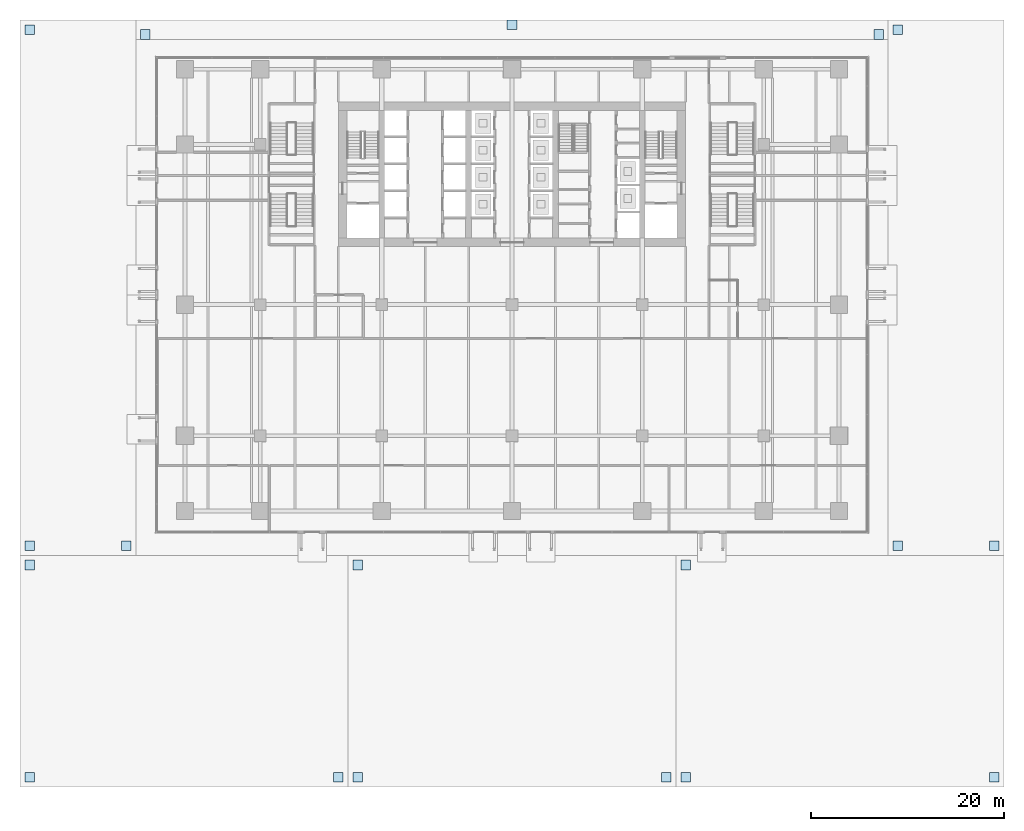
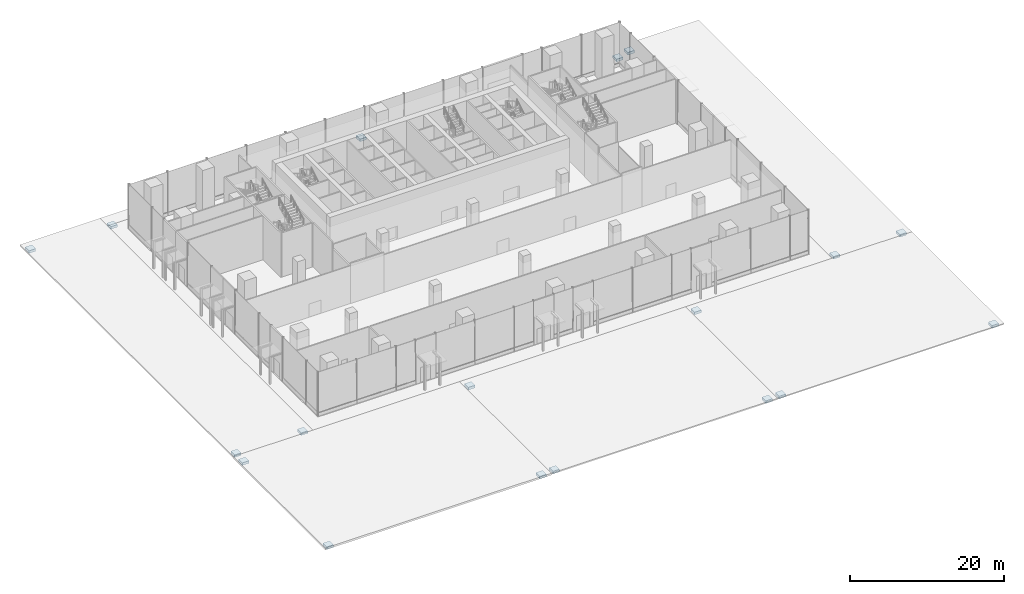
# One storey, part 1 of 41: 18 footings.
"""IFC4 building model written with IfcOpenShell, lengths in metres."""

import ifcopenshell
import ifcopenshell.guid

model = None  # the IFC model being written
_history = None  # IfcOwnerHistory: only IFC2X3 demands one
_inside = {}  # id of a spatial element -> (the spatial element, [elements in it])
_under = {}  # id of a project, library or spatial element -> (it, [spatial elements below it])
_declared = {}  # id of a project -> (the project, [libraries it declares])
_typed = {}  # id of a type object -> (the type object, [elements of that type])
_made_of = {}  # id of a material, layer set ... -> (it, [elements and type objects made of it])


def new_model(schema):
    """Start an empty IFC model of exactly this schema.

    Asked for "IFC4X3", IfcOpenShell would pick the latest addendum, in which some entities
    have other attributes; the version numbers below select the first issue.
    IFC2X3 requires an IfcOwnerHistory on every rooted entity: one is made here for all.
    """
    global model, _history
    if schema == "IFC4X3":
        model = ifcopenshell.file(schema_version=(4, 3, 0, 0))
    else:
        model = ifcopenshell.file(schema=schema)
    _inside.clear()
    _under.clear()
    _declared.clear()
    _typed.clear()
    _made_of.clear()
    _history = None
    if model.schema == "IFC2X3":
        org = make("IfcOrganization", Name="unknown")
        user = make(
            "IfcPersonAndOrganization",
            ThePerson=make("IfcPerson", FamilyName="unknown"),
            TheOrganization=org,
        )
        app = make(
            "IfcApplication",
            ApplicationDeveloper=org,
            Version="unknown",
            ApplicationFullName="unknown",
            ApplicationIdentifier="unknown",
        )
        _history = make(
            "IfcOwnerHistory",
            OwningUser=user,
            OwningApplication=app,
            ChangeAction="ADDED",
            CreationDate=0,
        )
    return model


def make(cls, **values):
    """One entity of the class cls with the attributes given. An attribute that is None is left unset."""
    return model.create_entity(
        cls, **{name: value for name, value in values.items() if value is not None}
    )


def rooted(cls, **values):
    """An entity with a GlobalId (a new one), such as an element, a storey or a relation."""
    return make(cls, GlobalId=ifcopenshell.guid.new(), OwnerHistory=_history, **values)


def si_unit(unit_type, name, prefix=None):
    """IfcSIUnit, for example si_unit("LENGTHUNIT", "METRE", prefix="MILLI")."""
    return make("IfcSIUnit", UnitType=unit_type, Prefix=prefix, Name=name)


def assignment(units):
    """IfcUnitAssignment: the units of a project."""
    return None if units is None else make("IfcUnitAssignment", Units=units)


def point(xyz):
    """IfcCartesianPoint."""
    return None if xyz is None else make("IfcCartesianPoint", Coordinates=xyz)


def direction(xyz):
    """IfcDirection."""
    return None if xyz is None else make("IfcDirection", DirectionRatios=xyz)


def frame(location, z_axis=None, x_axis=None):
    """IfcAxis2Placement3D, a coordinate frame: its origin and axes. An axis left out is left unset."""
    return make(
        "IfcAxis2Placement3D",
        Location=point(location),
        Axis=direction(z_axis),
        RefDirection=direction(x_axis),
    )


def origin():
    """The frame at (0, 0, 0) with its axes left unset."""
    return frame((0.0, 0.0, 0.0))


def place(relative_to, where):
    """IfcLocalPlacement: puts the frame where relative to a parent placement (None: the world)."""
    return make(
        "IfcLocalPlacement", PlacementRelTo=relative_to, RelativePlacement=where
    )


def context(
    kind, dimensions, precision=None, world=None, true_north=None, identifier=None
):
    """IfcGeometricRepresentationContext, for example the 3D "Model" context."""
    return make(
        "IfcGeometricRepresentationContext",
        ContextIdentifier=identifier,
        ContextType=kind,
        CoordinateSpaceDimension=dimensions,
        Precision=precision,
        WorldCoordinateSystem=world,
        TrueNorth=true_north,
    )


def subcontext(parent, identifier, kind, view, scale=None):
    """IfcGeometricRepresentationSubContext, for example "Body" below "Model"."""
    return make(
        "IfcGeometricRepresentationSubContext",
        ContextIdentifier=identifier,
        ContextType=kind,
        ParentContext=parent,
        TargetScale=scale,
        TargetView=view,
    )


def project(units=None, contexts=None):
    """IfcProject with its units and contexts."""
    return rooted(
        "IfcProject",
        Name="project",
        RepresentationContexts=contexts,
        UnitsInContext=assignment(units),
    )


def spatial(cls, under=None, at=None, **own):
    """A site, building, storey or space (cls), placed at a placement, below another one or the project."""
    s = rooted(cls, ObjectPlacement=at, **own)
    if under is not None:
        _under.setdefault(under.id(), (under, []))[1].append(s)
    return s


def polyline(points):
    """IfcPolyline through the points."""
    return make("IfcPolyline", Points=[point(p) for p in points])


def outline(outer, holes=None, kind="AREA"):
    """IfcArbitraryClosedProfileDef: a profile drawn as a closed curve; with holes, ...WithVoids."""
    if holes is None:
        return make("IfcArbitraryClosedProfileDef", ProfileType=kind, OuterCurve=outer)
    return make(
        "IfcArbitraryProfileDefWithVoids",
        ProfileType=kind,
        OuterCurve=outer,
        InnerCurves=holes,
    )


def extrude(swept, where, along, depth):
    """IfcExtrudedAreaSolid: the profile swept, set in the frame where, extruded along a direction by depth."""
    return make(
        "IfcExtrudedAreaSolid",
        SweptArea=swept,
        Position=where,
        ExtrudedDirection=direction(along),
        Depth=depth,
    )


def shape(context_of_items, identifier, shape_type, items):
    """IfcShapeRepresentation: the items that make up one representation, for example the "Body"."""
    return make(
        "IfcShapeRepresentation",
        ContextOfItems=context_of_items,
        RepresentationIdentifier=identifier,
        RepresentationType=shape_type,
        Items=items,
    )


def material(Name=None, Category=None):
    """IfcMaterial."""
    return make("IfcMaterial", Name=Name, Category=Category)


def layer(
    of_material, thickness, ventilated=None, Name=None, Category=None, Priority=None
):
    """IfcMaterialLayer: one layer of a wall or slab, of a material (None: an air gap)."""
    return make(
        "IfcMaterialLayer",
        Material=of_material,
        LayerThickness=thickness,
        IsVentilated=ventilated,
        Name=Name,
        Category=Category,
        Priority=Priority,
    )


def layer_set(layers, Name=None):
    """IfcMaterialLayerSet."""
    return make("IfcMaterialLayerSet", MaterialLayers=layers, LayerSetName=Name)


def made_of(thing, what):
    """Note that an element or type object is made of a material, layer set ...; save() writes the relation."""
    if what is not None:
        _made_of.setdefault(what.id(), (what, []))[1].append(thing)
    return thing


def type_object(cls, material=None, **own):
    """A type object (cls), such as IfcWallType, which elements share."""
    return made_of(rooted(cls, **own), material)


def element(
    cls,
    number,
    at=None,
    inside=None,
    cuts=None,
    type_object=None,
    material=None,
    context=None,
    identifier="Body",
    shape_type=None,
    held_by="IfcProductDefinitionShape",
    body=None,
    shapes=None,
    **own,
):
    """One element of the class cls, such as IfcWall. Its Tag is "e" and its number.

    at: its placement. inside: the storey or other place that contains it. cuts: it is an
    opening in that element (IfcRelVoidsElement). A single representation is given by context,
    identifier, shape_type and body (its items); several are given by shapes. held_by: the class
    of the entity that holds the representations. save() writes the other relations.
    """
    e = rooted(cls, Tag="e%d" % number, ObjectPlacement=at, **own)
    if body is not None:
        shapes = [shape(context, identifier, shape_type, body)]
    if shapes is not None:
        e.Representation = make(held_by, Representations=shapes)
    if inside is not None:
        _inside.setdefault(inside.id(), (inside, []))[1].append(e)
    if cuts is not None:
        rooted(
            "IfcRelVoidsElement", RelatingBuildingElement=cuts, RelatedOpeningElement=e
        )
    if type_object is not None:
        _typed.setdefault(type_object.id(), (type_object, []))[1].append(e)
    return made_of(e, material)


def aggregate(whole, parts):
    """IfcRelAggregates: a whole, such as a stair, and the parts it consists of."""
    return rooted("IfcRelAggregates", RelatingObject=whole, RelatedObjects=parts)


def save(model, path):
    """Write the relations noted so far, then the file.

    IfcRelAggregates (storeys below a building ...), IfcRelContainedInSpatialStructure (elements
    in a storey), IfcRelDefinesByType, IfcRelAssociatesMaterial and IfcRelDeclares: one each for
    every whole, place, type object, material and project.
    """
    for whole, parts in _under.values():
        aggregate(whole, parts)
    for where, things in _inside.values():
        rooted(
            "IfcRelContainedInSpatialStructure",
            RelatedElements=things,
            RelatingStructure=where,
        )
    for kind, things in _typed.values():
        rooted("IfcRelDefinesByType", RelatedObjects=things, RelatingType=kind)
    for what, things in _made_of.values():
        rooted("IfcRelAssociatesMaterial", RelatedObjects=things, RelatingMaterial=what)
    for by, libraries in _declared.values():
        rooted("IfcRelDeclares", RelatingContext=by, RelatedDefinitions=libraries)
    model.write(path)


model = new_model("IFC4")

# Units and contexts
model_context = context("Model", 3, precision=1e-05, world=origin(), true_north=direction((0.0, 1.0)))
body_context = subcontext(model_context, "Body", "Model", "MODEL_VIEW")
ifc_project = project(units=[si_unit("LENGTHUNIT", "METRE"), si_unit("AREAUNIT", "SQUARE_METRE"), si_unit("VOLUMEUNIT", "CUBIC_METRE"), si_unit("PLANEANGLEUNIT", "RADIAN"), si_unit("MASSUNIT", "GRAM", prefix="KILO")], contexts=[model_context])

# Site, building, storey
site_placement = place(None, origin())
site = spatial("IfcSite", under=ifc_project, at=site_placement, CompositionType="ELEMENT")
building_placement = place(site_placement, origin())
building = spatial("IfcBuilding", under=site, at=building_placement, Name="Rattan Terrace Tower", CompositionType="ELEMENT")
storey_placement = place(building_placement, origin())
storey = spatial("IfcBuildingStorey", under=building, at=storey_placement, Name="L00", CompositionType="ELEMENT", Elevation=0.0)

# Footings
ifc_material = material(Name="Concrete C32/40", Category="concrete")
ifc_layer = layer(ifc_material, 0.39990234375)
ifc_layer_set = layer_set([ifc_layer], Name="Paving bearing pad 400")
footing_type = type_object("IfcFootingType", Name="Paving bearing pad 400", PredefinedType="PAD_FOOTING", material=ifc_layer_set)
footing_1_placement = place(storey_placement, frame((0.0, 0.0, -0.60009765625)))
element("IfcFooting", 1, at=footing_1_placement, inside=storey, type_object=footing_type, Name="Paving bearing pad 1.1", PredefinedType="PAD_FOOTING", context=body_context, shape_type="SweptSolid", body=[
    extrude(outline(polyline([(-16.5, -63.0), (-15.5, -63.0), (-15.5, -62.0), (-16.5, -62.0), (-16.5, -63.0)])), origin(), (0.0, 0.0, 1.0), 0.400146484375),
])
footing_2_placement = place(storey_placement, frame((0.0, 0.0, -0.60009765625)))
element("IfcFooting", 2, at=footing_2_placement, inside=storey, type_object=footing_type, Name="Paving bearing pad 1.2", PredefinedType="PAD_FOOTING", context=body_context, shape_type="SweptSolid", body=[
    extrude(outline(polyline([(15.5, -63.0), (16.5, -63.0), (16.5, -62.0), (15.5, -62.0), (15.5, -63.0)])), origin(), (0.0, 0.0, 1.0), 0.400146484375),
])
footing_3_placement = place(storey_placement, frame((0.0, 0.0, -0.60009765625)))
element("IfcFooting", 3, at=footing_3_placement, inside=storey, type_object=footing_type, Name="Paving bearing pad 1.3", PredefinedType="PAD_FOOTING", context=body_context, shape_type="SweptSolid", body=[
    extrude(outline(polyline([(-16.5, -41.0), (-15.5, -41.0), (-15.5, -40.0), (-16.5, -40.0), (-16.5, -41.0)])), origin(), (0.0, 0.0, 1.0), 0.400146484375),
])
footing_4_placement = place(storey_placement, frame((0.0, 0.0, -0.699951171875)))
element("IfcFooting", 4, at=footing_4_placement, inside=storey, type_object=footing_type, Name="Paving bearing pad 2.1", PredefinedType="PAD_FOOTING", context=body_context, shape_type="SweptSolid", body=[
    extrude(outline(polyline([(-50.5, -63.0), (-49.5, -63.0), (-49.5, -62.0), (-50.5, -62.0), (-50.5, -63.0)])), origin(), (0.0, 0.0, 1.0), 0.39990234375),
])
footing_5_placement = place(storey_placement, frame((0.0, 0.0, -0.699951171875)))
element("IfcFooting", 5, at=footing_5_placement, inside=storey, type_object=footing_type, Name="Paving bearing pad 2.2", PredefinedType="PAD_FOOTING", context=body_context, shape_type="SweptSolid", body=[
    extrude(outline(polyline([(-18.5, -63.0), (-17.5, -63.0), (-17.5, -62.0), (-18.5, -62.0), (-18.5, -63.0)])), origin(), (0.0, 0.0, 1.0), 0.39990234375),
])
footing_6_placement = place(storey_placement, frame((0.0, 0.0, -0.699951171875)))
element("IfcFooting", 6, at=footing_6_placement, inside=storey, type_object=footing_type, Name="Paving bearing pad 2.3", PredefinedType="PAD_FOOTING", context=body_context, shape_type="SweptSolid", body=[
    extrude(outline(polyline([(-50.5, -41.0), (-49.5, -41.0), (-49.5, -40.0), (-50.5, -40.0), (-50.5, -41.0)])), origin(), (0.0, 0.0, 1.0), 0.39990234375),
])
footing_7_placement = place(storey_placement, frame((0.0, 0.0, -0.56005859375)))
element("IfcFooting", 7, at=footing_7_placement, inside=storey, type_object=footing_type, Name="Paving bearing pad 3.1", PredefinedType="PAD_FOOTING", context=body_context, shape_type="SweptSolid", body=[
    extrude(outline(polyline([(17.5, -63.0), (18.5, -63.0), (18.5, -62.0), (17.5, -62.0), (17.5, -63.0)])), origin(), (0.0, 0.0, 1.0), 0.400146484375),
])
footing_8_placement = place(storey_placement, frame((0.0, 0.0, -0.56005859375)))
element("IfcFooting", 8, at=footing_8_placement, inside=storey, type_object=footing_type, Name="Paving bearing pad 3.2", PredefinedType="PAD_FOOTING", context=body_context, shape_type="SweptSolid", body=[
    extrude(outline(polyline([(49.5, -63.0), (50.5, -63.0), (50.5, -62.0), (49.5, -62.0), (49.5, -63.0)])), origin(), (0.0, 0.0, 1.0), 0.400146484375),
])
footing_9_placement = place(storey_placement, frame((0.0, 0.0, -0.56005859375)))
element("IfcFooting", 9, at=footing_9_placement, inside=storey, type_object=footing_type, Name="Paving bearing pad 3.3", PredefinedType="PAD_FOOTING", context=body_context, shape_type="SweptSolid", body=[
    extrude(outline(polyline([(17.5, -41.0), (18.5, -41.0), (18.5, -40.0), (17.5, -40.0), (17.5, -41.0)])), origin(), (0.0, 0.0, 1.0), 0.400146484375),
])
footing_10_placement = place(storey_placement, frame((0.0, 0.0, -0.639892578125)))
element("IfcFooting", 10, at=footing_10_placement, inside=storey, type_object=footing_type, Name="Paving bearing pad 4.1", PredefinedType="PAD_FOOTING", context=body_context, shape_type="SweptSolid", body=[
    extrude(outline(polyline([(-50.5, -39.0), (-49.5, -39.0), (-49.5, -38.0), (-50.5, -38.0), (-50.5, -39.0)])), origin(), (0.0, 0.0, 1.0), 0.39990234375),
])
footing_11_placement = place(storey_placement, frame((0.0, 0.0, -0.639892578125)))
element("IfcFooting", 11, at=footing_11_placement, inside=storey, type_object=footing_type, Name="Paving bearing pad 4.2", PredefinedType="PAD_FOOTING", context=body_context, shape_type="SweptSolid", body=[
    extrude(outline(polyline([(-40.5, -39.0), (-39.5, -39.0), (-39.5, -38.0), (-40.5, -38.0), (-40.5, -39.0)])), origin(), (0.0, 0.0, 1.0), 0.39990234375),
])
footing_12_placement = place(storey_placement, frame((0.0, 0.0, -0.639892578125)))
element("IfcFooting", 12, at=footing_12_placement, inside=storey, type_object=footing_type, Name="Paving bearing pad 4.3", PredefinedType="PAD_FOOTING", context=body_context, shape_type="SweptSolid", body=[
    extrude(outline(polyline([(-50.5, 14.5), (-49.5, 14.5), (-49.5, 15.5), (-50.5, 15.5), (-50.5, 14.5)])), origin(), (0.0, 0.0, 1.0), 0.39990234375),
])
footing_13_placement = place(storey_placement, frame((0.0, 0.0, -0.639892578125)))
element("IfcFooting", 13, at=footing_13_placement, inside=storey, type_object=footing_type, Name="Paving bearing pad 5.1", PredefinedType="PAD_FOOTING", context=body_context, shape_type="SweptSolid", body=[
    extrude(outline(polyline([(39.5, -39.0), (40.5, -39.0), (40.5, -38.0), (39.5, -38.0), (39.5, -39.0)])), origin(), (0.0, 0.0, 1.0), 0.39990234375),
])
footing_14_placement = place(storey_placement, frame((0.0, 0.0, -0.639892578125)))
element("IfcFooting", 14, at=footing_14_placement, inside=storey, type_object=footing_type, Name="Paving bearing pad 5.2", PredefinedType="PAD_FOOTING", context=body_context, shape_type="SweptSolid", body=[
    extrude(outline(polyline([(49.5, -39.0), (50.5, -39.0), (50.5, -38.0), (49.5, -38.0), (49.5, -39.0)])), origin(), (0.0, 0.0, 1.0), 0.39990234375),
])
footing_15_placement = place(storey_placement, frame((0.0, 0.0, -0.639892578125)))
element("IfcFooting", 15, at=footing_15_placement, inside=storey, type_object=footing_type, Name="Paving bearing pad 5.3", PredefinedType="PAD_FOOTING", context=body_context, shape_type="SweptSolid", body=[
    extrude(outline(polyline([(39.5, 14.5), (40.5, 14.5), (40.5, 15.5), (39.5, 15.5), (39.5, 14.5)])), origin(), (0.0, 0.0, 1.0), 0.39990234375),
])
footing_16_placement = place(storey_placement, frame((0.0, 0.0, -0.719970703125)))
element("IfcFooting", 16, at=footing_16_placement, inside=storey, type_object=footing_type, Name="Paving bearing pad 6.1", PredefinedType="PAD_FOOTING", context=body_context, shape_type="SweptSolid", body=[
    extrude(outline(polyline([(-38.5, 14.0), (-37.5, 14.0), (-37.5, 15.0), (-38.5, 15.0), (-38.5, 14.0)])), origin(), (0.0, 0.0, 1.0), 0.39990234375),
])
footing_17_placement = place(storey_placement, frame((0.0, 0.0, -0.719970703125)))
element("IfcFooting", 17, at=footing_17_placement, inside=storey, type_object=footing_type, Name="Paving bearing pad 6.2", PredefinedType="PAD_FOOTING", context=body_context, shape_type="SweptSolid", body=[
    extrude(outline(polyline([(37.5, 14.0), (38.5, 14.0), (38.5, 15.0), (37.5, 15.0), (37.5, 14.0)])), origin(), (0.0, 0.0, 1.0), 0.39990234375),
])
footing_18_placement = place(storey_placement, frame((0.0, 0.0, -0.719970703125)))
element("IfcFooting", 18, at=footing_18_placement, inside=storey, type_object=footing_type, Name="Paving bearing pad 6.3", PredefinedType="PAD_FOOTING", context=body_context, shape_type="SweptSolid", body=[
    extrude(outline(polyline([(-0.5, 15.0), (0.5, 15.0), (0.5, 16.0), (-0.5, 16.0), (-0.5, 15.0)])), origin(), (0.0, 0.0, 1.0), 0.39990234375),
])

save(model, "model.ifc")
